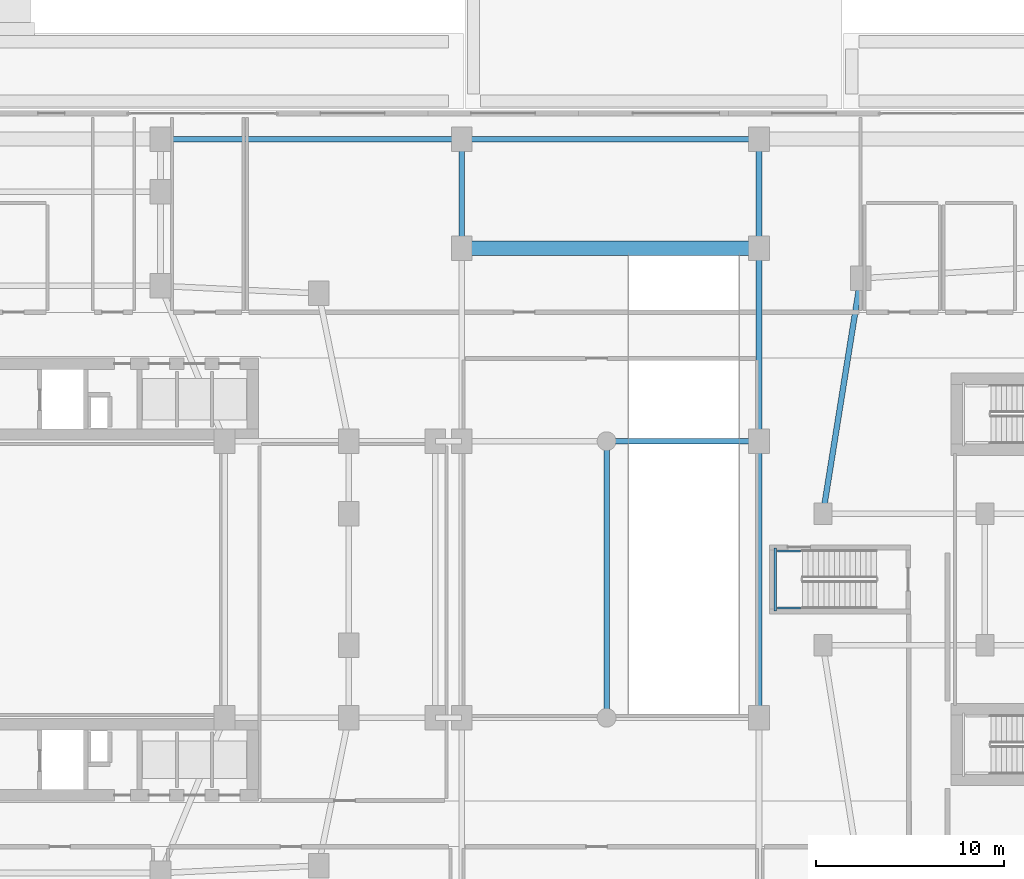
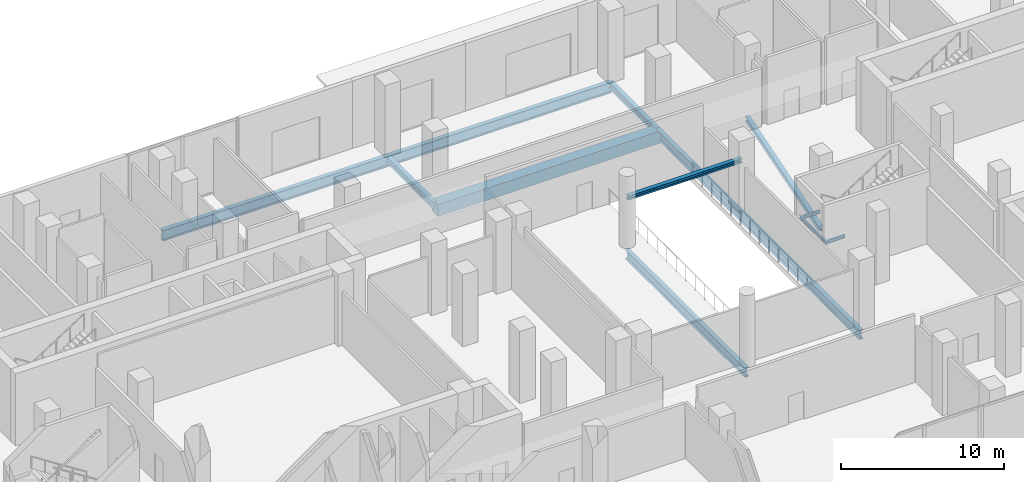
# One storey, part 6 of 24: 13 beams.
"""IFC4 building model written with IfcOpenShell, lengths in metres."""

from ifc_helpers import new_model, si_unit, derived_unit, direction, frame, origin, origin_2d, place, context, subcontext, project, spatial, rectangle, i_section, extrude, material, material_profile, profile_set, type_object, element, save


model = new_model("IFC4")

# Units and contexts
model_context = context("Model", 3, precision=1e-05, world=origin(), true_north=direction((0.0, 1.0)))
body_context = subcontext(model_context, "Body", "Model", "MODEL_VIEW")
ifc_project = project(units=[si_unit("LENGTHUNIT", "METRE"), si_unit("AREAUNIT", "SQUARE_METRE"), si_unit("VOLUMEUNIT", "CUBIC_METRE"), si_unit("PLANEANGLEUNIT", "RADIAN"), si_unit("MASSUNIT", "GRAM", prefix="KILO"), derived_unit("THERMALTRANSMITTANCEUNIT", [(si_unit("POWERUNIT", "WATT"), 1), (si_unit("LENGTHUNIT", "METRE"), -2), (si_unit("THERMODYNAMICTEMPERATUREUNIT", "KELVIN"), -1)])], contexts=[model_context])

# Site, building, storey
site_placement = place(None, origin())
site = spatial("IfcSite", under=ifc_project, at=site_placement, CompositionType="ELEMENT")
building_placement = place(site_placement, origin())
building = spatial("IfcBuilding", under=site, at=building_placement, Name="Kivonza Crest Hotel", CompositionType="ELEMENT")
storey_placement = place(building_placement, origin())
storey = spatial("IfcBuildingStorey", under=building, at=storey_placement, Name="L00", CompositionType="ELEMENT", Elevation=0.0)

# Beams
ifc_material_1 = material(Name="Steel S355", Category="steel")
ifc_material_profile_1 = material_profile(ifc_material_1, i_section(OverallWidth=0.300048828125, OverallDepth=0.300048828125, WebThickness=0.010986328125, FlangeThickness=0.01904296875, FilletRadius=0.027099609375, at=origin_2d()), Name="HEB 300")
ifc_profile_set_1 = profile_set([ifc_material_profile_1], Name="Steel S355")
beam_type_1 = type_object("IfcBeamType", Name="BM-EXT-LINTEL-300", PredefinedType="LINTEL", material=ifc_profile_set_1)
beam_1_placement = place(storey_placement, frame((49.5, 32.35009765625, 3.5), z_axis=(1.0, 0.0, 0.0), x_axis=(0.0, 1.0, 0.0)))
element("IfcBeam", 1, at=beam_1_placement, inside=storey, type_object=beam_type_1, Name="L00 concourse opening structural lintel", PredefinedType="LINTEL", context=body_context, shape_type="SweptSolid", body=[
    extrude(i_section(OverallWidth=0.300048828125, OverallDepth=0.300048828125, WebThickness=0.010986328125, FlangeThickness=0.01904296875, FilletRadius=0.027099609375, at=origin_2d()), origin(), (0.0, 0.0, 1.0), 8.10009765625),
])
ifc_material_profile_2 = material_profile(ifc_material_1, i_section(OverallWidth=0.300048828125, OverallDepth=0.360107421875, WebThickness=0.012451171875, FlangeThickness=0.0224609375, FilletRadius=0.027099609375, at=origin_2d()), Name="HEB 360")
ifc_profile_set_2 = profile_set([ifc_material_profile_2], Name="Steel S355")
beam_type_2 = type_object("IfcBeamType", Name="BM-HEB360", PredefinedType="SPANDREL", material=ifc_profile_set_2)
beam_2_placement = place(storey_placement, frame((63.0, 41.0, -0.530029296875), z_axis=(-0.157990501107, -0.987440631917, 0.0), x_axis=(0.987440631917, -0.157990501107, 0.0)))
element("IfcBeam", 2, at=beam_2_placement, inside=storey, type_object=beam_type_2, Name="Companion Tower T2 L00 perimeter spandrel NW-W2", PredefinedType="SPANDREL", context=body_context, shape_type="SweptSolid", body=[
    extrude(i_section(OverallWidth=0.300048828125, OverallDepth=0.360107421875, WebThickness=0.012451171875, FlangeThickness=0.0224609375, FilletRadius=0.027099609375, at=origin_2d()), origin(), (0.0, 0.0, 1.0), 12.658935546875),
])
ifc_material_profile_3 = material_profile(ifc_material_1, i_section(OverallWidth=0.300048828125, OverallDepth=0.5, WebThickness=0.014404296875, FlangeThickness=0.028076171875, FilletRadius=0.027099609375, at=origin_2d()), Name="HEB 500")
ifc_profile_set_3 = profile_set([ifc_material_profile_3], Name="Steel S355")
beam_type_3 = type_object("IfcBeamType", Name="BM-HEB500", PredefinedType="BEAM", material=ifc_profile_set_3)
for number, where, z_axis, x_axis, name in (
    (3, (41.800048828125, 42.60009765625, -0.60009765625), (0.0, 1.0, 0.0), (-1.0, 0.0, 0.0), "L00 podium girder Y 74"),
    (4, (57.60009765625, 42.60009765625, -0.60009765625), (0.0, 1.0, 0.0), (-1.0, 0.0, 0.0), "L00 podium girder Y 80"),
):
    element("IfcBeam", number, at=place(storey_placement, frame(where, z_axis=z_axis, x_axis=x_axis)), inside=storey, type_object=beam_type_3, Name=name, PredefinedType="BEAM", context=body_context, shape_type="SweptSolid", body=[
        extrude(i_section(OverallWidth=0.300048828125, OverallDepth=0.5, WebThickness=0.014404296875, FlangeThickness=0.028076171875, FilletRadius=0.027099609375, at=origin_2d()), origin(), (0.0, 0.0, 1.0), 5.7998046875),
    ])
ifc_material_profile_4 = material_profile(ifc_material_1, i_section(OverallWidth=0.300048828125, OverallDepth=0.699951171875, WebThickness=0.01708984375, FlangeThickness=0.031982421875, FilletRadius=0.027099609375, at=origin_2d()), Name="HEB 700")
ifc_profile_set_4 = profile_set([ifc_material_profile_4], Name="Steel S355")
beam_type_4 = type_object("IfcBeamType", Name="BM-HEB700", PredefinedType="BEAM", material=ifc_profile_set_4)
for number, where, z_axis, x_axis, name in (
    (5, (49.5, 17.64990234375, -0.699951171875), (0.0, 1.0, 0.0), (-1.0, 0.0, 0.0), "L00 podium girder Y 75"),
    (6, (57.60009765625, 17.64990234375, -0.699951171875), (0.0, 1.0, 0.0), (-1.0, 0.0, 0.0), "L00 podium girder Y 78"),
):
    element("IfcBeam", number, at=place(storey_placement, frame(where, z_axis=z_axis, x_axis=x_axis)), inside=storey, type_object=beam_type_4, Name=name, PredefinedType="BEAM", context=body_context, shape_type="SweptSolid", body=[
        extrude(i_section(OverallWidth=0.300048828125, OverallDepth=0.699951171875, WebThickness=0.01708984375, FlangeThickness=0.031982421875, FilletRadius=0.027099609375, at=origin_2d()), origin(), (0.0, 0.0, 1.0), 14.7001953125),
    ])
beam_3_placement = place(storey_placement, frame((57.60009765625, 32.35009765625, -0.699951171875), z_axis=(0.0, 1.0, 0.0), x_axis=(-1.0, 0.0, 0.0)))
element("IfcBeam", 7, at=beam_3_placement, inside=storey, type_object=beam_type_4, Name="L00 podium girder Y 79", PredefinedType="BEAM", context=body_context, shape_type="SweptSolid", body=[
    extrude(i_section(OverallWidth=0.300048828125, OverallDepth=0.699951171875, WebThickness=0.01708984375, FlangeThickness=0.031982421875, FilletRadius=0.027099609375, at=origin_2d()), origin(), (0.0, 0.0, 1.0), 10.25),
])
ifc_material_profile_5 = material_profile(ifc_material_1, i_section(OverallWidth=0.300048828125, OverallDepth=0.800048828125, WebThickness=0.017578125, FlangeThickness=0.032958984375, FilletRadius=0.030029296875, at=origin_2d()), Name="HEB 800")
ifc_profile_set_5 = profile_set([ifc_material_profile_5], Name="Steel S355")
beam_type_5 = type_object("IfcBeamType", Name="BM-HEB800", PredefinedType="BEAM", material=ifc_profile_set_5)
beam_4_placement = place(storey_placement, frame((25.800048828125, 48.39990234375, -0.75), z_axis=(1.0, 0.0, 0.0), x_axis=(0.0, 1.0, 0.0)))
element("IfcBeam", 8, at=beam_4_placement, inside=storey, type_object=beam_type_5, Name="L00 podium girder X 43", PredefinedType="BEAM", context=body_context, shape_type="SweptSolid", body=[
    extrude(i_section(OverallWidth=0.300048828125, OverallDepth=0.800048828125, WebThickness=0.017578125, FlangeThickness=0.032958984375, FilletRadius=0.030029296875, at=origin_2d()), origin(), (0.0, 0.0, 1.0), 16.0),
])
beam_5_placement = place(storey_placement, frame((41.800048828125, 48.39990234375, -0.75), z_axis=(1.0, 0.0, 0.0), x_axis=(0.0, 1.0, 0.0)))
element("IfcBeam", 9, at=beam_5_placement, inside=storey, type_object=beam_type_5, Name="L00 podium girder X 44", PredefinedType="BEAM", context=body_context, shape_type="SweptSolid", body=[
    extrude(i_section(OverallWidth=0.300048828125, OverallDepth=0.800048828125, WebThickness=0.017578125, FlangeThickness=0.032958984375, FilletRadius=0.030029296875, at=origin_2d()), origin(), (0.0, 0.0, 1.0), 15.800048828125),
])
ifc_material_profile_6 = material_profile(ifc_material_1, i_section(OverallWidth=0.1201171875, OverallDepth=0.239990234375, WebThickness=0.006103515625, FlangeThickness=0.009765625, FilletRadius=0.014892578125, at=origin_2d()), Name="IPE 240")
ifc_profile_set_6 = profile_set([ifc_material_profile_6], Name="Steel S355")
beam_type_6 = type_object("IfcBeamType", Name="BM-LLDG-240", PredefinedType="BEAM", material=ifc_profile_set_6)
beam_6_placement = place(storey_placement, frame((58.4599609375, 23.320068359375, 2.3798828125), z_axis=(0.0, 1.0, 0.0), x_axis=(-1.0, 0.0, 0.0)))
element("IfcBeam", 10, at=beam_6_placement, inside=storey, type_object=beam_type_6, Name="Stair ST-POD-E L00 West landing corbel", PredefinedType="BEAM", context=body_context, shape_type="SweptSolid", body=[
    extrude(i_section(OverallWidth=0.1201171875, OverallDepth=0.239990234375, WebThickness=0.006103515625, FlangeThickness=0.009765625, FilletRadius=0.014892578125, at=origin_2d()), origin(), (0.0, 0.0, 1.0), 3.35986328125),
])
for number, where, z_axis, x_axis, name in (
    (11, (58.590087890625, 23.47998046875, 2.3798828125), (1.0, 0.0, 0.0), (0.0, 1.0, 0.0), "Stair ST-POD-E L00 South landing corbel"),
    (12, (58.590087890625, 26.52001953125, 2.3798828125), (1.0, 0.0, 0.0), (0.0, 1.0, 0.0), "Stair ST-POD-E L00 North landing corbel"),
):
    element("IfcBeam", number, at=place(storey_placement, frame(where, z_axis=z_axis, x_axis=x_axis)), inside=storey, type_object=beam_type_6, Name=name, PredefinedType="BEAM", context=body_context, shape_type="SweptSolid", body=[
        extrude(i_section(OverallWidth=0.1201171875, OverallDepth=0.239990234375, WebThickness=0.006103515625, FlangeThickness=0.009765625, FilletRadius=0.014892578125, at=origin_2d()), origin(), (0.0, 0.0, 1.0), 1.2099609375),
    ])
ifc_material_2 = material(Name="Concrete C40/50", Category="concrete")
ifc_material_profile_7 = material_profile(ifc_material_2, rectangle(XDim=0.75, YDim=0.89990234375, at=origin_2d()), Name="RC 900x750")
ifc_profile_set_7 = profile_set([ifc_material_profile_7], Name="Concrete C40/50")
beam_type_7 = type_object("IfcBeamType", Name="BM-RCT-900x750", PredefinedType="T_BEAM", material=ifc_profile_set_7)
beam_7_placement = place(storey_placement, frame((41.800048828125, 42.60009765625, -0.800048828125), z_axis=(1.0, 0.0, 0.0), x_axis=(0.0, 1.0, 0.0)))
element("IfcBeam", 13, at=beam_7_placement, inside=storey, type_object=beam_type_7, Name="L00 reinforced concrete T-beam 36", PredefinedType="T_BEAM", context=body_context, shape_type="SweptSolid", body=[
    extrude(rectangle(XDim=0.75, YDim=0.89990234375, at=origin_2d()), origin(), (0.0, 0.0, 1.0), 15.800048828125),
])

save(model, "model.ifc")
